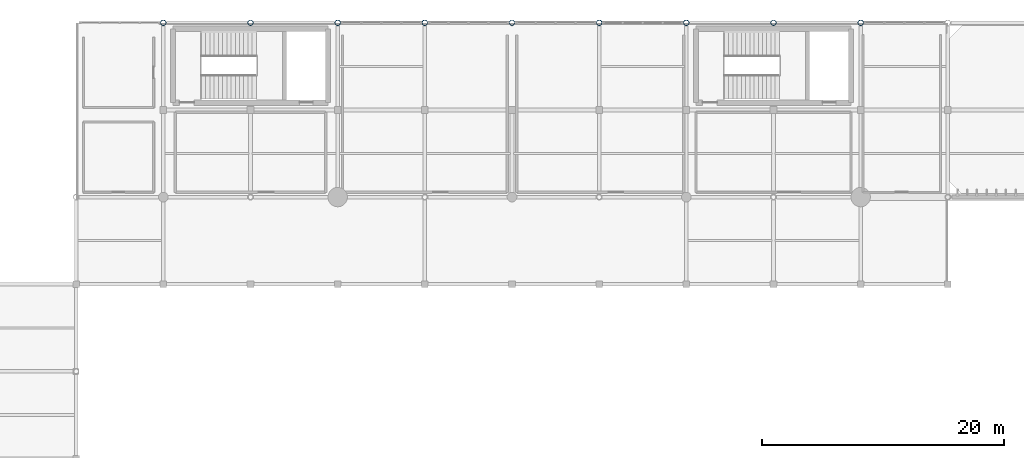
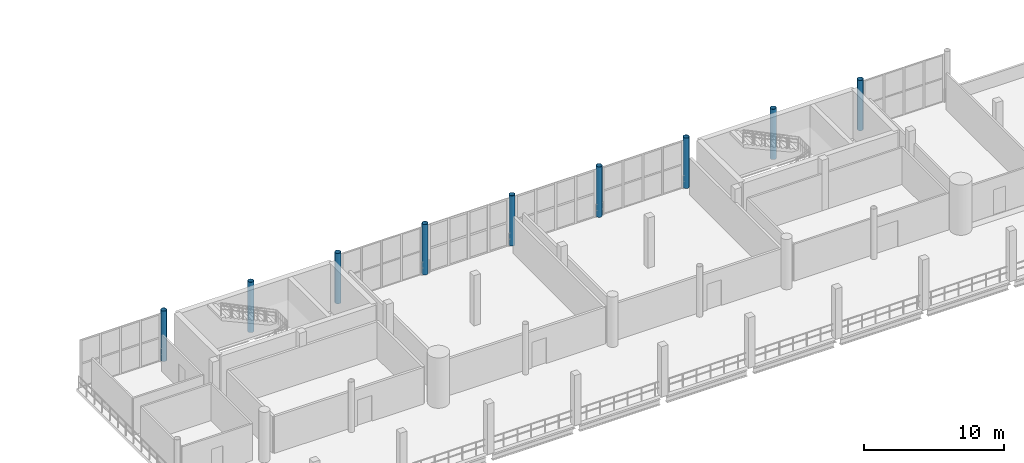
# One storey, part 10 of 81: 9 columns.
"""IFC4 building model written with IfcOpenShell, lengths in metres."""

from ifc_helpers import new_model, si_unit, direction, frame, origin, origin_2d, place, context, subcontext, project, spatial, hollow_circle, extrude, material, material_profile, profile_set, type_object, element, save


model = new_model("IFC4")

# Units and contexts
model_context = context("Model", 3, precision=1e-05, world=origin(), true_north=direction((0.0, 1.0)))
body_context = subcontext(model_context, "Body", "Model", "MODEL_VIEW")
ifc_project = project(units=[si_unit("LENGTHUNIT", "METRE"), si_unit("AREAUNIT", "SQUARE_METRE"), si_unit("VOLUMEUNIT", "CUBIC_METRE"), si_unit("PLANEANGLEUNIT", "RADIAN"), si_unit("MASSUNIT", "GRAM", prefix="KILO")], contexts=[model_context])

# Site, building, storey
site_placement = place(None, origin())
site = spatial("IfcSite", under=ifc_project, at=site_placement, CompositionType="ELEMENT")
building_placement = place(site_placement, origin())
building = spatial("IfcBuilding", under=site, at=building_placement, Name="Qandorah Velis Arena", CompositionType="ELEMENT")
storey_placement = place(building_placement, frame((0.0, 0.0, 18.60009765625)))
storey = spatial("IfcBuildingStorey", under=building, at=storey_placement, Name="L04", CompositionType="ELEMENT", Elevation=18.60009765625)

# Columns
ifc_material = material(Name="Steel S355", Category="steel")
ifc_material_profile = material_profile(ifc_material, hollow_circle(Radius=0.228515625, WallThickness=0.02001953125, at=origin_2d()), Name="CHS 457x20")
ifc_profile_set = profile_set([ifc_material_profile], Name="Steel S355")
column_type = type_object("IfcColumnType", Name="STR-COL-CHS457", PredefinedType="COLUMN", material=ifc_profile_set)
for number, where, z_axis, x_axis, name in (
    (1, (28.800048828125, 129.60009765625, 0.0), (0.0, 0.0, 1.0), (1.0, 0.0, 0.0), "Structural column L04-063"),
    (2, (36.0, 129.60009765625, 0.0), (0.0, 0.0, 1.0), (1.0, 0.0, 0.0), "Structural column L04-071"),
    (3, (43.199951171875, 129.60009765625, 0.0), (0.0, 0.0, 1.0), (1.0, 0.0, 0.0), "Structural column L04-079"),
    (4, (50.39990234375, 129.60009765625, 0.0), (0.0, 0.0, 1.0), (1.0, 0.0, 0.0), "Structural column L04-087"),
    (5, (57.60009765625, 129.60009765625, 0.0), (0.0, 0.0, 1.0), (1.0, 0.0, 0.0), "Structural column L04-095"),
    (6, (64.800048828125, 129.60009765625, 0.0), (0.0, 0.0, 1.0), (1.0, 0.0, 0.0), "Structural column L04-103"),
    (7, (72.0, 129.60009765625, 0.0), (0.0, 0.0, 1.0), (1.0, 0.0, 0.0), "Structural column L04-111"),
    (8, (79.199951171875, 129.60009765625, 0.0), (0.0, 0.0, 1.0), (1.0, 0.0, 0.0), "Structural column L04-119"),
    (9, (86.39990234375, 129.60009765625, 0.0), (0.0, 0.0, 1.0), (1.0, 0.0, 0.0), "Structural column L04-127"),
):
    element("IfcColumn", number, at=place(storey_placement, frame(where, z_axis=z_axis, x_axis=x_axis)), inside=storey, type_object=column_type, Name=name, PredefinedType="COLUMN", context=body_context, shape_type="SweptSolid", body=[
        extrude(hollow_circle(Radius=0.228515625, WallThickness=0.02001953125, at=origin_2d()), origin(), (0.0, 0.0, 1.0), 4.39990234375),
    ])

save(model, "model.ifc")
